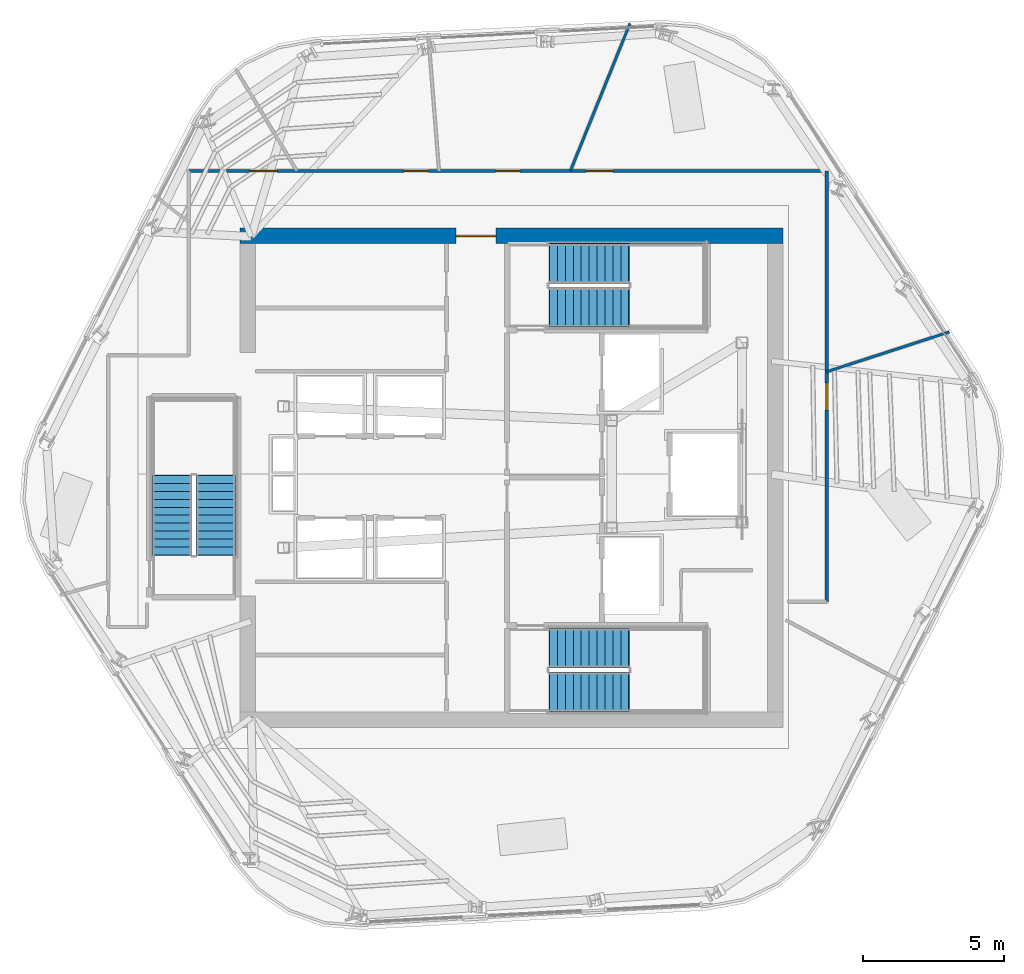
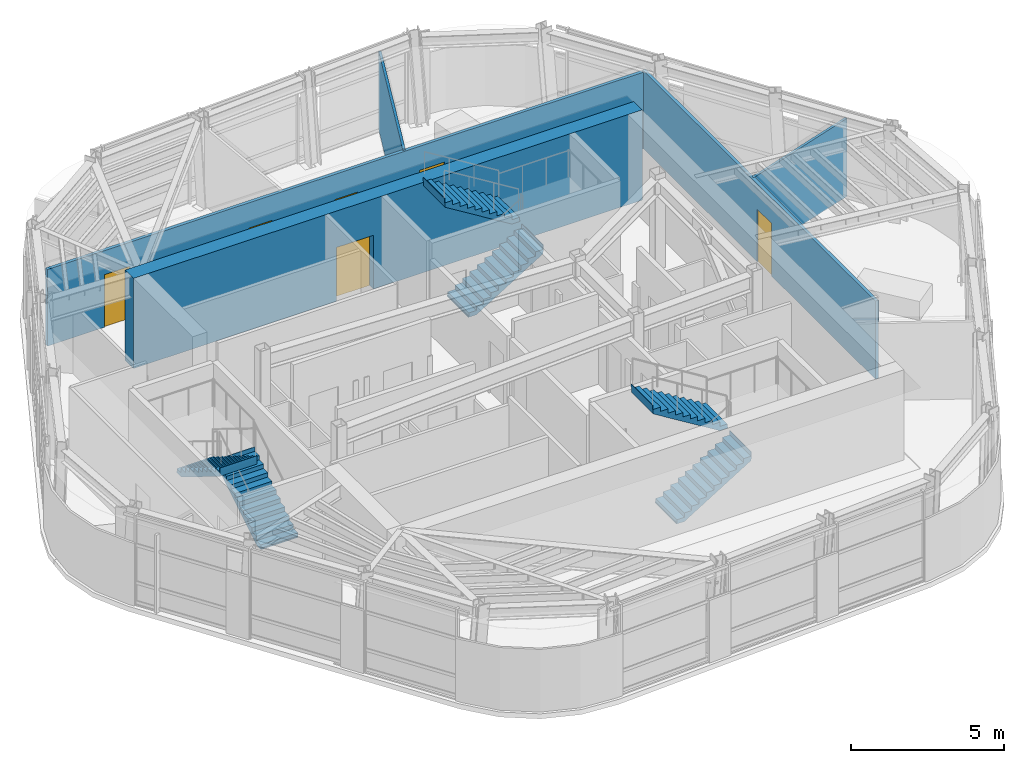
# One storey, part 8 of 13: 6 doors, 6 stair flights, 5 walls, 6 openings, 3 elements without a shape of their own.
"""IFC4 building model written with IfcOpenShell, lengths in metres."""

from ifc_helpers import new_model, si_unit, direction, frame, frame_2d, origin, place, context, subcontext, project, spatial, polyline, rectangle, outline, extrude, material, layer, layer_set, type_object, element, fill, aggregate, save


model = new_model("IFC4")

# Units and contexts
model_context = context("Model", 3, precision=1e-05, world=origin(), true_north=direction((0.0, 1.0)))
body_context = subcontext(model_context, "Body", "Model", "MODEL_VIEW")
ifc_project = project(units=[si_unit("LENGTHUNIT", "METRE"), si_unit("AREAUNIT", "SQUARE_METRE"), si_unit("VOLUMEUNIT", "CUBIC_METRE"), si_unit("PLANEANGLEUNIT", "RADIAN"), si_unit("MASSUNIT", "GRAM", prefix="KILO")], contexts=[model_context])

# Site, building, storey
site_placement = place(None, origin())
site = spatial("IfcSite", under=ifc_project, at=site_placement, CompositionType="ELEMENT")
building_placement = place(site_placement, origin())
building = spatial("IfcBuilding", under=site, at=building_placement, Name="Valkerne Bourse Tower", CompositionType="ELEMENT")
storey_placement = place(building_placement, frame((0.0, 0.0, 296.39990234375)))
storey = spatial("IfcBuildingStorey", under=building, at=storey_placement, Name="L75", CompositionType="ELEMENT", Elevation=296.39990234375)

# Wall, opening, door
ifc_material_1 = material(Name="Concrete C55/67", Category="concrete")
ifc_layer_1 = layer(ifc_material_1, 0.550048828125)
ifc_layer_set_1 = layer_set([ifc_layer_1], Name="Concrete C55/67")
wall_type_1 = type_object("IfcWallType", Name="W-CORE-550", PredefinedType="SHEAR", material=ifc_layer_set_1)
wall_1_placement = place(storey_placement, frame((37.199951171875, 35.425048828125, 0.0), z_axis=(0.0, 0.0, 1.0), x_axis=(1.0, 0.0, 0.0)))
wall_1 = element("IfcWall", 1, at=wall_1_placement, inside=storey, type_object=wall_type_1, Name="L75 Core Shear Wall NORTH", PredefinedType="SHEAR", context=body_context, shape_type="SweptSolid", body=[
    extrude(rectangle(XDim=19.199951171875, YDim=0.550048828125, at=frame_2d((9.60009765625, 0.0))), origin(), (0.0, 0.0, 1.0), 3.60009765625),
])
opening_1_placement = place(wall_1_placement, frame((7.64990234375, 0.0, 0.0)))
opening_1 = element("IfcOpeningElement", 2, at=opening_1_placement, cuts=wall_1, Name="Opening D-PL-1400", PredefinedType="OPENING", context=body_context, shape_type="SweptSolid", body=[
    extrude(rectangle(XDim=1.39990234375, YDim=2.14990234375, at=frame_2d((0.699951171875, 1.074951171875))), frame((0.0, 0.284912109375, 0.0), z_axis=(0.0, -1.0, 0.0), x_axis=(1.0, 0.0, 0.0)), (0.0, 0.0, 1.0), 0.570068359375),
])
ifc_material_2 = material(Name="Galvanised Painted Steel", Category="steel")
door_type_1 = type_object("IfcDoorType", Name="DR-PLT-1400", OperationType="DOUBLE_DOOR_SINGLE_SWING", PredefinedType="DOOR", material=ifc_material_2)
door_1_placement = place(opening_1_placement, origin())
door_1 = element("IfcDoor", 3, at=door_1_placement, inside=storey, type_object=door_type_1, Name="L75 North Passenger Lift Hall Fire Door", OperationType="DOUBLE_DOOR_SINGLE_SWING", OverallHeight=2.14990234375, OverallWidth=1.39990234375, PredefinedType="DOOR", context=body_context, shape_type="SweptSolid", body=[
    extrude(rectangle(XDim=1.39990234375, YDim=2.14990234375, at=frame_2d((0.699951171875, 1.074951171875))), frame((0.0, 0.02490234375, 0.0), z_axis=(0.0, -1.0, 0.0), x_axis=(1.0, 0.0, 0.0)), (0.0, 0.0, 1.0), 0.050048828125),
])
fill(opening_1, door_1)

# Wall, openings, doors
ifc_material_3 = material(Name="Gypsum Board Steel-Stud Partition", Category="steel")
ifc_layer_2 = layer(ifc_material_3, 0.117919921875)
ifc_layer_set_2 = layer_set([ifc_layer_2], Name="Gypsum Board Steel-Stud Partition")
wall_type_2 = type_object("IfcWallType", Name="W-CORR-140", PredefinedType="PARTITIONING", material=ifc_layer_set_2)
wall_2_placement = place(storey_placement, frame((35.39990234375, 37.719970703125, 0.0), z_axis=(0.0, 0.0, 1.0), x_axis=(1.0, 0.0, 0.0)))
wall_2 = element("IfcWall", 4, at=wall_2_placement, inside=storey, type_object=wall_type_2, Name="L75 Corridor Enclosure Wall", PredefinedType="PARTITIONING", context=body_context, shape_type="SweptSolid", body=[
    extrude(rectangle(XDim=22.550048828125, YDim=0.117919921875, at=frame_2d((11.27490234375, 0.0))), origin(), (0.0, 0.0, 1.0), 3.056640625),
])
opening_2_placement = place(wall_2_placement, frame((7.60498046875, 0.0, 0.0)))
opening_2 = element("IfcOpeningElement", 5, at=opening_2_placement, cuts=wall_2, Name="Opening D-WC-900", PredefinedType="OPENING", context=body_context, shape_type="SweptSolid", body=[
    extrude(rectangle(XDim=0.860107421875, YDim=2.050048828125, at=frame_2d((0.43017578125, 1.02490234375))), frame((0.0, 0.06884765625, 0.0), z_axis=(0.0, -1.0, 0.0), x_axis=(1.0, 0.0, 0.0)), (0.0, 0.0, 1.0), 0.137939453125),
])
opening_3_placement = place(wall_2_placement, frame((10.844970703125, 0.0, 0.0)))
opening_3 = element("IfcOpeningElement", 6, at=opening_3_placement, cuts=wall_2, Name="Opening D-WC-900", PredefinedType="OPENING", context=body_context, shape_type="SweptSolid", body=[
    extrude(rectangle(XDim=0.860107421875, YDim=2.050048828125, at=frame_2d((0.43017578125, 1.02490234375))), frame((0.0, 0.06884765625, 0.0), z_axis=(0.0, -1.0, 0.0), x_axis=(1.0, 0.0, 0.0)), (0.0, 0.0, 1.0), 0.137939453125),
])
opening_4_placement = place(wall_2_placement, frame((14.0400390625, 0.0, 0.0)))
opening_4 = element("IfcOpeningElement", 7, at=opening_4_placement, cuts=wall_2, Name="Opening D-OF-950", PredefinedType="OPENING", context=body_context, shape_type="SweptSolid", body=[
    extrude(rectangle(XDim=0.949951171875, YDim=2.10009765625, at=frame_2d((0.47509765625, 1.050048828125))), frame((0.0, 0.06884765625, 0.0), z_axis=(0.0, -1.0, 0.0), x_axis=(1.0, 0.0, 0.0)), (0.0, 0.0, 1.0), 0.137939453125),
])
opening_5_placement = place(wall_2_placement, frame((2.159912109375, 0.0, 0.0)))
opening_5 = element("IfcOpeningElement", 8, at=opening_5_placement, cuts=wall_2, Name="Opening D-OF-950", PredefinedType="OPENING", context=body_context, shape_type="SweptSolid", body=[
    extrude(rectangle(XDim=0.949951171875, YDim=2.10009765625, at=frame_2d((0.47509765625, 1.050048828125))), frame((0.0, 0.06884765625, 0.0), z_axis=(0.0, -1.0, 0.0), x_axis=(1.0, 0.0, 0.0)), (0.0, 0.0, 1.0), 0.137939453125),
])
ifc_material_4 = material(Name="Architectural White Oak Timber", Category="wood")
door_type_2 = type_object("IfcDoorType", Name="DR-OFF-950", OperationType="NOTDEFINED", PredefinedType="DOOR", material=ifc_material_4)
door_2_placement = place(opening_4_placement, origin())
door_2 = element("IfcDoor", 9, at=door_2_placement, inside=storey, type_object=door_type_2, Name="L75 L75 Member Collaboration Club Salon 4 Door", OperationType="SINGLE_SWING_RIGHT", OverallHeight=2.10009765625, OverallWidth=0.949951171875, PredefinedType="DOOR", context=body_context, shape_type="SweptSolid", body=[
    extrude(rectangle(XDim=0.949951171875, YDim=2.10009765625, at=frame_2d((0.47509765625, 1.050048828125))), frame((0.0, 0.02490234375, 0.0), z_axis=(0.0, -1.0, 0.0), x_axis=(1.0, 0.0, 0.0)), (0.0, 0.0, 1.0), 0.050048828125),
])
fill(opening_4, door_2)
door_3_placement = place(opening_5_placement, origin())
door_3 = element("IfcDoor", 10, at=door_3_placement, inside=storey, type_object=door_type_2, Name="L75 L75 VIP Client Concierge Reception 6 Door", OperationType="SINGLE_SWING_RIGHT", OverallHeight=2.10009765625, OverallWidth=0.949951171875, PredefinedType="DOOR", context=body_context, shape_type="SweptSolid", body=[
    extrude(rectangle(XDim=0.949951171875, YDim=2.10009765625, at=frame_2d((0.47509765625, 1.050048828125))), frame((0.0, 0.02490234375, 0.0), z_axis=(0.0, -1.0, 0.0), x_axis=(1.0, 0.0, 0.0)), (0.0, 0.0, 1.0), 0.050048828125),
])
fill(opening_5, door_3)
door_type_3 = type_object("IfcDoorType", Name="DR-WC-900", OperationType="NOTDEFINED", PredefinedType="DOOR", material=ifc_material_4)
door_4_placement = place(opening_2_placement, origin())
door_4 = element("IfcDoor", 11, at=door_4_placement, inside=storey, type_object=door_type_3, Name="L75 L75 Men Bathroom WC 1 Door", OperationType="SINGLE_SWING_LEFT", OverallHeight=2.050048828125, OverallWidth=0.860107421875, PredefinedType="DOOR", context=body_context, shape_type="SweptSolid", body=[
    extrude(rectangle(XDim=0.860107421875, YDim=2.050048828125, at=frame_2d((0.43017578125, 1.02490234375))), frame((0.0, 0.02490234375, 0.0), z_axis=(0.0, -1.0, 0.0), x_axis=(1.0, 0.0, 0.0)), (0.0, 0.0, 1.0), 0.050048828125),
])
fill(opening_2, door_4)
door_5_placement = place(opening_3_placement, origin())
door_5 = element("IfcDoor", 12, at=door_5_placement, inside=storey, type_object=door_type_3, Name="L75 L75 Women Restroom & Shower WC 2 Door", OperationType="SINGLE_SWING_LEFT", OverallHeight=2.050048828125, OverallWidth=0.860107421875, PredefinedType="DOOR", context=body_context, shape_type="SweptSolid", body=[
    extrude(rectangle(XDim=0.860107421875, YDim=2.050048828125, at=frame_2d((0.43017578125, 1.02490234375))), frame((0.0, 0.02490234375, 0.0), z_axis=(0.0, -1.0, 0.0), x_axis=(1.0, 0.0, 0.0)), (0.0, 0.0, 1.0), 0.050048828125),
])
fill(opening_3, door_5)

# Wall, opening, door
wall_3_placement = place(storey_placement, frame((57.949951171875, 37.719970703125, 0.0), z_axis=(0.0, 0.0, 1.0), x_axis=(0.0, -1.0, 0.0)))
wall_3 = element("IfcWall", 13, at=wall_3_placement, inside=storey, type_object=wall_type_2, Name="L75 Corridor Enclosure Wall", PredefinedType="PARTITIONING", context=body_context, shape_type="SweptSolid", body=[
    extrude(rectangle(XDim=15.219970703125, YDim=0.117919921875, at=frame_2d((7.60986328125, 0.0))), origin(), (0.0, 0.0, 1.0), 3.114990234375),
])
opening_6_placement = place(wall_3_placement, frame((7.4951171875, 0.0, 0.0)))
opening_6 = element("IfcOpeningElement", 14, at=opening_6_placement, cuts=wall_3, Name="Opening D-OF-950", PredefinedType="OPENING", context=body_context, shape_type="SweptSolid", body=[
    extrude(rectangle(XDim=0.949951171875, YDim=2.10009765625, at=frame_2d((0.47509765625, 1.050048828125))), frame((0.0, 0.06884765625, 0.0), z_axis=(0.0, -1.0, 0.0), x_axis=(1.0, 0.0, 0.0)), (0.0, 0.0, 1.0), 0.137939453125),
])
door_6_placement = place(opening_6_placement, origin())
door_6 = element("IfcDoor", 15, at=door_6_placement, inside=storey, type_object=door_type_2, Name="L75 L75 VIP Client Concierge Reception 5 Door", OperationType="SINGLE_SWING_RIGHT", OverallHeight=2.10009765625, OverallWidth=0.949951171875, PredefinedType="DOOR", context=body_context, shape_type="SweptSolid", body=[
    extrude(rectangle(XDim=0.949951171875, YDim=2.10009765625, at=frame_2d((0.47509765625, 1.050048828125))), frame((0.0, 0.02490234375, 0.0), z_axis=(0.0, -1.0, 0.0), x_axis=(1.0, 0.0, 0.0)), (0.0, 0.0, 1.0), 0.050048828125),
])
fill(opening_6, door_6)

# Walls
ifc_layer_3 = layer(ifc_material_3, 0.092041015625)
ifc_layer_set_3 = layer_set([ifc_layer_3], Name="Gypsum Board Steel-Stud Partition")
wall_type_3 = type_object("IfcWallType", Name="W-PART-115", PredefinedType="PARTITIONING", material=ifc_layer_set_3)
wall_4_placement = place(storey_placement, frame((48.888916015625, 37.72509765625, 0.0), z_axis=(0.0, 0.0, 1.0), x_axis=(0.374593754994, 0.927189041523, 0.0)))
element("IfcWall", 16, at=wall_4_placement, inside=storey, type_object=wall_type_3, Name="L75 Suite Partition P01", PredefinedType="PARTITIONING", context=body_context, shape_type="SweptSolid", body=[
    extrude(rectangle(XDim=5.62060546875, YDim=0.092041015625, at=frame_2d((2.810302734375, 0.0))), origin(), (0.0, 0.0, 1.0), 3.114990234375),
])
wall_5_placement = place(storey_placement, frame((57.955078125, 30.62451171875, 0.0), z_axis=(0.0, 0.0, 1.0), x_axis=(0.951053776581, 0.30902542622, 0.0)))
element("IfcWall", 17, at=wall_5_placement, inside=storey, type_object=wall_type_3, Name="L75 Suite Partition P05", PredefinedType="PARTITIONING", context=body_context, shape_type="SweptSolid", body=[
    extrude(rectangle(XDim=4.55126953125, YDim=0.092041015625, at=frame_2d((2.275634765625, 0.0))), origin(), (0.0, 0.0, 1.0), 3.114990234375),
])

# Stair, stair flights
ifc_material_5 = material(Name="Concrete C40/50", Category="concrete")
stair_type = type_object("IfcStairType", Name="ST-CORE-1400", PredefinedType="HALF_TURN_STAIR", material=ifc_material_5)
stair_1_placement = place(storey_placement, origin())
stair_1 = element("IfcStair", 18, at=stair_1_placement, inside=storey, type_object=stair_type, Name="L75 ST-1", PredefinedType="HALF_TURN_STAIR")
stair_flight_type = type_object("IfcStairFlightType", Name="STF-CORE-1400", PredefinedType="STRAIGHT", material=ifc_material_5)
stair_flight_1_placement = place(storey_placement, frame((48.14990234375, 19.300048828125, 0.0), z_axis=(0.0, 0.0, 1.0), x_axis=(1.0, 0.0, 0.0)))
stair_flight_1 = element("IfcStairFlight", 19, at=stair_flight_1_placement, type_object=stair_flight_type, Name="ST-1 flight 1", NumberOfRisers=11, NumberOfTreads=10, PredefinedType="STRAIGHT", RiserHeight=0.172727273, TreadLength=0.28, context=body_context, shape_type="SweptSolid", body=[
    extrude(outline(polyline([(-0.02001953125, 0.0), (-0.02001953125, 0.044921875), (0.0, 0.044921875), (0.0, 0.172607421875), (0.280029296875, 0.172607421875), (0.280029296875, 0.345458984375), (0.56005859375, 0.345458984375), (0.56005859375, 0.51806640625), (0.840087890625, 0.51806640625), (0.840087890625, 0.69091796875), (1.1201171875, 0.69091796875), (1.1201171875, 0.863525390625), (1.39990234375, 0.863525390625), (1.39990234375, 1.036376953125), (1.679931640625, 1.036376953125), (1.679931640625, 1.208984375), (1.9599609375, 1.208984375), (1.9599609375, 1.3818359375), (2.239990234375, 1.3818359375), (2.239990234375, 1.554443359375), (2.52001953125, 1.554443359375), (2.52001953125, 1.727294921875), (2.800048828125, 1.727294921875), (2.800048828125, 1.89990234375), (2.820068359375, 1.89990234375), (2.820068359375, 1.780029296875), (2.800048828125, 1.551025390625), (0.285400390625, 0.0), (-0.02001953125, 0.0)])), frame((0.0, 0.699951171875, 0.0), z_axis=(0.0, -1.0, 0.0), x_axis=(1.0, 0.0, 0.0)), (0.0, 0.0, 1.0), 1.39990234375),
])
stair_flight_2_placement = place(storey_placement, frame((50.949951171875, 20.85009765625, 1.900146484375), z_axis=(0.0, 0.0, 1.0), x_axis=(-1.0, 0.0, 0.0)))
stair_flight_2 = element("IfcStairFlight", 20, at=stair_flight_2_placement, type_object=stair_flight_type, Name="ST-1 flight 2", NumberOfRisers=11, NumberOfTreads=10, PredefinedType="STRAIGHT", RiserHeight=0.172727273, TreadLength=0.28, context=body_context, shape_type="SweptSolid", body=[
    extrude(outline(polyline([(-0.02001953125, 0.0), (-0.02001953125, 0.044921875), (0.0, 0.044921875), (0.0, 0.172607421875), (0.280029296875, 0.172607421875), (0.280029296875, 0.345458984375), (0.56005859375, 0.345458984375), (0.56005859375, 0.51806640625), (0.840087890625, 0.51806640625), (0.840087890625, 0.69091796875), (1.1201171875, 0.69091796875), (1.1201171875, 0.863525390625), (1.39990234375, 0.863525390625), (1.39990234375, 1.036376953125), (1.679931640625, 1.036376953125), (1.679931640625, 1.208984375), (1.9599609375, 1.208984375), (1.9599609375, 1.3818359375), (2.239990234375, 1.3818359375), (2.239990234375, 1.554443359375), (2.52001953125, 1.554443359375), (2.52001953125, 1.727294921875), (2.800048828125, 1.727294921875), (2.800048828125, 1.89990234375), (2.820068359375, 1.89990234375), (2.820068359375, 1.780029296875), (2.800048828125, 1.551025390625), (0.285400390625, 0.0), (-0.02001953125, 0.0)])), frame((0.0, 0.699951171875, 0.0), z_axis=(0.0, -1.0, 0.0), x_axis=(1.0, 0.0, 0.0)), (0.0, 0.0, 1.0), 1.39990234375),
])
aggregate(stair_1, [stair_flight_1, stair_flight_2])

stair_2_placement = place(storey_placement, origin())
stair_2 = element("IfcStair", 21, at=stair_2_placement, inside=storey, type_object=stair_type, Name="L75 ST-2", PredefinedType="HALF_TURN_STAIR")
stair_flight_3_placement = place(storey_placement, frame((48.14990234375, 32.89990234375, 0.0), z_axis=(0.0, 0.0, 1.0), x_axis=(1.0, 0.0, 0.0)))
stair_flight_3 = element("IfcStairFlight", 22, at=stair_flight_3_placement, type_object=stair_flight_type, Name="ST-2 flight 1", NumberOfRisers=11, NumberOfTreads=10, PredefinedType="STRAIGHT", RiserHeight=0.172727273, TreadLength=0.28, context=body_context, shape_type="SweptSolid", body=[
    extrude(outline(polyline([(-0.02001953125, 0.0), (-0.02001953125, 0.044921875), (0.0, 0.044921875), (0.0, 0.172607421875), (0.280029296875, 0.172607421875), (0.280029296875, 0.345458984375), (0.56005859375, 0.345458984375), (0.56005859375, 0.51806640625), (0.840087890625, 0.51806640625), (0.840087890625, 0.69091796875), (1.1201171875, 0.69091796875), (1.1201171875, 0.863525390625), (1.39990234375, 0.863525390625), (1.39990234375, 1.036376953125), (1.679931640625, 1.036376953125), (1.679931640625, 1.208984375), (1.9599609375, 1.208984375), (1.9599609375, 1.3818359375), (2.239990234375, 1.3818359375), (2.239990234375, 1.554443359375), (2.52001953125, 1.554443359375), (2.52001953125, 1.727294921875), (2.800048828125, 1.727294921875), (2.800048828125, 1.89990234375), (2.820068359375, 1.89990234375), (2.820068359375, 1.780029296875), (2.800048828125, 1.551025390625), (0.285400390625, 0.0), (-0.02001953125, 0.0)])), frame((0.0, 0.699951171875, 0.0), z_axis=(0.0, -1.0, 0.0), x_axis=(1.0, 0.0, 0.0)), (0.0, 0.0, 1.0), 1.39990234375),
])
stair_flight_4_placement = place(storey_placement, frame((50.949951171875, 34.449951171875, 1.900146484375), z_axis=(0.0, 0.0, 1.0), x_axis=(-1.0, 0.0, 0.0)))
stair_flight_4 = element("IfcStairFlight", 23, at=stair_flight_4_placement, type_object=stair_flight_type, Name="ST-2 flight 2", NumberOfRisers=11, NumberOfTreads=10, PredefinedType="STRAIGHT", RiserHeight=0.172727273, TreadLength=0.28, context=body_context, shape_type="SweptSolid", body=[
    extrude(outline(polyline([(-0.02001953125, 0.0), (-0.02001953125, 0.044921875), (0.0, 0.044921875), (0.0, 0.172607421875), (0.280029296875, 0.172607421875), (0.280029296875, 0.345458984375), (0.56005859375, 0.345458984375), (0.56005859375, 0.51806640625), (0.840087890625, 0.51806640625), (0.840087890625, 0.69091796875), (1.1201171875, 0.69091796875), (1.1201171875, 0.863525390625), (1.39990234375, 0.863525390625), (1.39990234375, 1.036376953125), (1.679931640625, 1.036376953125), (1.679931640625, 1.208984375), (1.9599609375, 1.208984375), (1.9599609375, 1.3818359375), (2.239990234375, 1.3818359375), (2.239990234375, 1.554443359375), (2.52001953125, 1.554443359375), (2.52001953125, 1.727294921875), (2.800048828125, 1.727294921875), (2.800048828125, 1.89990234375), (2.820068359375, 1.89990234375), (2.820068359375, 1.780029296875), (2.800048828125, 1.551025390625), (0.285400390625, 0.0), (-0.02001953125, 0.0)])), frame((0.0, 0.699951171875, 0.0), z_axis=(0.0, -1.0, 0.0), x_axis=(1.0, 0.0, 0.0)), (0.0, 0.0, 1.0), 1.39990234375),
])
aggregate(stair_2, [stair_flight_3, stair_flight_4])

stair_3_placement = place(storey_placement, origin())
stair_3 = element("IfcStair", 24, at=stair_3_placement, inside=storey, type_object=stair_type, Name="L75 ST-3", PredefinedType="HALF_TURN_STAIR")
stair_flight_5_placement = place(storey_placement, frame((36.35009765625, 24.14990234375, 0.0), z_axis=(0.0, 0.0, 1.0), x_axis=(0.0, 1.0, 0.0)))
stair_flight_5 = element("IfcStairFlight", 25, at=stair_flight_5_placement, type_object=stair_flight_type, Name="ST-3 flight 1", NumberOfRisers=11, NumberOfTreads=10, PredefinedType="STRAIGHT", RiserHeight=0.172727273, TreadLength=0.28, context=body_context, shape_type="SweptSolid", body=[
    extrude(outline(polyline([(-0.02001953125, 0.0), (-0.02001953125, 0.044921875), (0.0, 0.044921875), (0.0, 0.172607421875), (0.280029296875, 0.172607421875), (0.280029296875, 0.345458984375), (0.56005859375, 0.345458984375), (0.56005859375, 0.51806640625), (0.840087890625, 0.51806640625), (0.840087890625, 0.69091796875), (1.1201171875, 0.69091796875), (1.1201171875, 0.863525390625), (1.39990234375, 0.863525390625), (1.39990234375, 1.036376953125), (1.679931640625, 1.036376953125), (1.679931640625, 1.208984375), (1.9599609375, 1.208984375), (1.9599609375, 1.3818359375), (2.239990234375, 1.3818359375), (2.239990234375, 1.554443359375), (2.52001953125, 1.554443359375), (2.52001953125, 1.727294921875), (2.800048828125, 1.727294921875), (2.800048828125, 1.89990234375), (2.820068359375, 1.89990234375), (2.820068359375, 1.780029296875), (2.800048828125, 1.551025390625), (0.285400390625, 0.0), (-0.02001953125, 0.0)])), frame((0.0, 0.699951171875, 0.0), z_axis=(0.0, -1.0, 0.0), x_axis=(1.0, 0.0, 0.0)), (0.0, 0.0, 1.0), 1.39990234375),
])
stair_flight_6_placement = place(storey_placement, frame((34.800048828125, 26.949951171875, 1.900146484375), z_axis=(0.0, 0.0, 1.0), x_axis=(0.0, -1.0, 0.0)))
stair_flight_6 = element("IfcStairFlight", 26, at=stair_flight_6_placement, type_object=stair_flight_type, Name="ST-3 flight 2", NumberOfRisers=11, NumberOfTreads=10, PredefinedType="STRAIGHT", RiserHeight=0.172727273, TreadLength=0.28, context=body_context, shape_type="SweptSolid", body=[
    extrude(outline(polyline([(-0.02001953125, 0.0), (-0.02001953125, 0.044921875), (0.0, 0.044921875), (0.0, 0.172607421875), (0.280029296875, 0.172607421875), (0.280029296875, 0.345458984375), (0.56005859375, 0.345458984375), (0.56005859375, 0.51806640625), (0.840087890625, 0.51806640625), (0.840087890625, 0.69091796875), (1.1201171875, 0.69091796875), (1.1201171875, 0.863525390625), (1.39990234375, 0.863525390625), (1.39990234375, 1.036376953125), (1.679931640625, 1.036376953125), (1.679931640625, 1.208984375), (1.9599609375, 1.208984375), (1.9599609375, 1.3818359375), (2.239990234375, 1.3818359375), (2.239990234375, 1.554443359375), (2.52001953125, 1.554443359375), (2.52001953125, 1.727294921875), (2.800048828125, 1.727294921875), (2.800048828125, 1.89990234375), (2.820068359375, 1.89990234375), (2.820068359375, 1.780029296875), (2.800048828125, 1.551025390625), (0.285400390625, 0.0), (-0.02001953125, 0.0)])), frame((0.0, 0.699951171875, 0.0), z_axis=(0.0, -1.0, 0.0), x_axis=(1.0, 0.0, 0.0)), (0.0, 0.0, 1.0), 1.39990234375),
])
aggregate(stair_3, [stair_flight_5, stair_flight_6])

save(model, "model.ifc")
